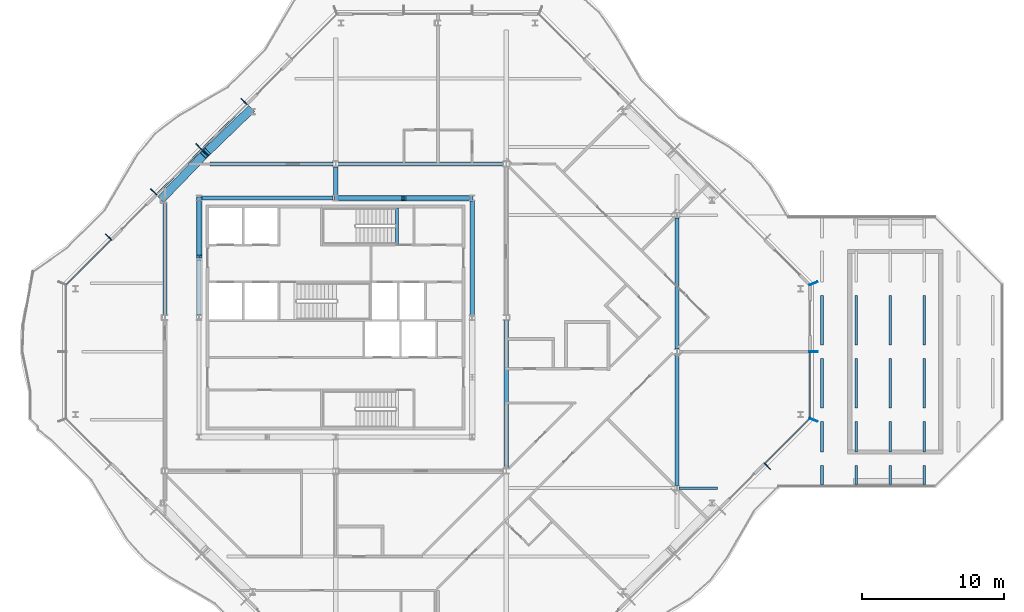
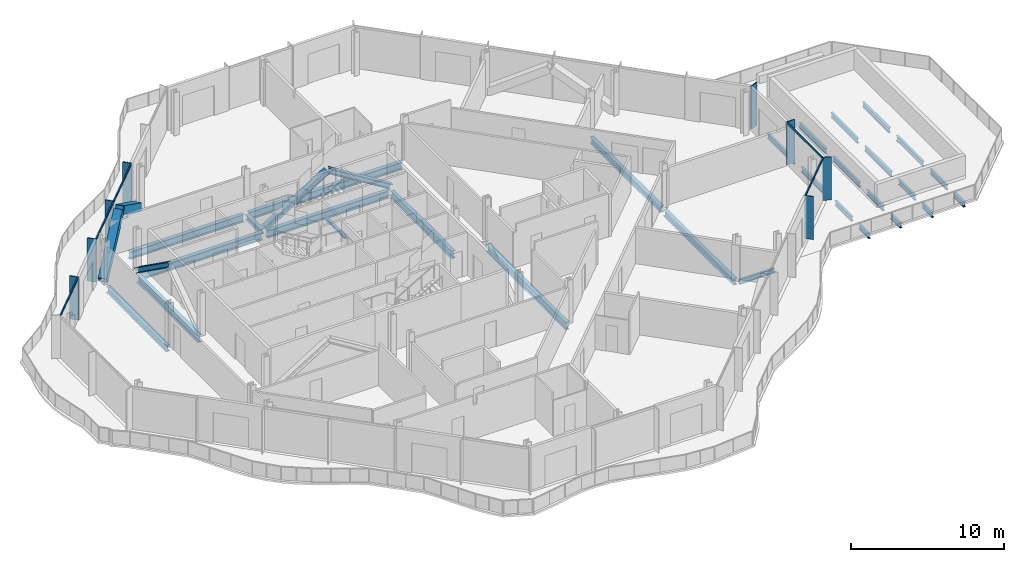
# One storey, part 4 of 16: 29 beams, 18 members, 4 elements without a shape of their own.
"""IFC4 building model written with IfcOpenShell, lengths in metres."""

from ifc_helpers import new_model, si_unit, direction, frame, origin, origin_2d, place, context, subcontext, project, spatial, rectangle, hollow_rectangle, i_section, extrude, material, material_profile, profile_set, type_object, element, aggregate, save


model = new_model("IFC4")

# Units and contexts
model_context = context("Model", 3, precision=1e-05, world=origin(), true_north=direction((0.0, 1.0)))
body_context = subcontext(model_context, "Body", "Model", "MODEL_VIEW")
ifc_project = project(units=[si_unit("LENGTHUNIT", "METRE"), si_unit("AREAUNIT", "SQUARE_METRE"), si_unit("VOLUMEUNIT", "CUBIC_METRE"), si_unit("PLANEANGLEUNIT", "RADIAN"), si_unit("MASSUNIT", "GRAM", prefix="KILO")], contexts=[model_context])

# Site, building, storey
site_placement = place(None, origin())
site = spatial("IfcSite", under=ifc_project, at=site_placement, CompositionType="ELEMENT")
building_placement = place(site_placement, origin())
building = spatial("IfcBuilding", under=site, at=building_placement, Name="Cairn Pilgrim Tower", CompositionType="ELEMENT")
storey_placement = place(building_placement, frame((0.0, 0.0, 267.0)))
storey = spatial("IfcBuildingStorey", under=building, at=storey_placement, Name="L68", CompositionType="ELEMENT", Elevation=267.0)

# Members
ifc_material_1 = material(Name="Structural steel S460M", Category="steel")
ifc_material_profile_1 = material_profile(ifc_material_1, hollow_rectangle(XDim=0.60009765625, YDim=0.60009765625, WallThickness=0.034912109375, at=origin_2d()), Name="BOX 600x600x35")
ifc_profile_set_1 = profile_set([ifc_material_profile_1], Name="Structural steel S460M")
member_type_1 = type_object("IfcMemberType", Name="BOX 600x600x35 BRACE", PredefinedType="BRACE", material=ifc_profile_set_1)
for number, where, z_axis, x_axis, name in (
    (1, (1.19091796875, 16.9921875, 0.14990234375), (-0.612497315066, -0.592528264357, 0.523218209713), (0.695293517132, -0.718725903967, 0.0), "XB-NW2-NW3-1"),
    (2, (-4.9921875, 10.80908203125, 0.14990234375), (0.592528264357, 0.612497315066, 0.523218209713), (-0.718725903967, 0.695293517132, 0.0), "XB-NW2-NW3-2"),
):
    element("IfcMember", number, at=place(storey_placement, frame(where, z_axis=z_axis, x_axis=x_axis)), inside=storey, type_object=member_type_1, Name=name, PredefinedType="BRACE", context=body_context, shape_type="SweptSolid", body=[
        extrude(hollow_rectangle(XDim=0.60009765625, YDim=0.60009765625, WallThickness=0.034912109375, at=origin_2d()), origin(), (0.0, 0.0, 1.0), 5.037109375),
    ])

# Curtain wall, member
ifc_material_2 = material(Name="Aluminium alloy 6063-T6 bronze anodised with Bronze tinted laminated low-E glass 8+16+8.8", Category="aluminium")
curtain_wall_type = type_object("IfcCurtainWallType", Name="CROWN CURTAIN WALL", PredefinedType="NOTDEFINED", material=ifc_material_2)
curtain_wall_1_placement = place(storey_placement, origin())
curtain_wall_1 = element("IfcCurtainWall", 3, at=curtain_wall_1_placement, inside=storey, type_object=curtain_wall_type, Name="Crown Curtain Wall SE", PredefinedType="NOTDEFINED")
ifc_material_3 = material(Name="Aluminium alloy 6063-T6 bronze anodised", Category="aluminium")
ifc_material_profile_2 = material_profile(ifc_material_3, rectangle(XDim=0.60009765625, YDim=0.06005859375, at=origin_2d()), Name="FIN MULLION 60x600 BRONZE")
ifc_profile_set_2 = profile_set([ifc_material_profile_2], Name="Aluminium alloy 6063-T6 bronze anodised")
member_type_2 = type_object("IfcMemberType", Name="FIN MULLION 60x600 BRONZE", PredefinedType="MULLION", material=ifc_profile_set_2)
member_1_placement = place(storey_placement, frame((37.5654296875, -8.06298828125, 0.0), z_axis=(0.0, 0.0, 1.0), x_axis=(0.707106781187, -0.707106781187, 0.0)))
member_1 = element("IfcMember", 4, at=member_1_placement, type_object=member_type_2, Name="Fin mullion SE6", PredefinedType="MULLION", context=body_context, shape_type="SweptSolid", body=[
    extrude(rectangle(XDim=0.60009765625, YDim=0.06005859375, at=origin_2d()), origin(), (0.0, 0.0, 1.0), 3.449951171875),
])

# Curtain wall, members
curtain_wall_2_placement = place(storey_placement, origin())
curtain_wall_2 = element("IfcCurtainWall", 5, at=curtain_wall_2_placement, inside=storey, type_object=curtain_wall_type, Name="Crown Curtain Wall E", PredefinedType="NOTDEFINED")
member_2_placement = place(storey_placement, frame((40.799560546875, -4.7998046875, 0.0), z_axis=(0.0, 0.0, 1.0), x_axis=(0.923879532511, -0.382683432365, 0.0)))
member_2 = element("IfcMember", 6, at=member_2_placement, type_object=member_type_2, Name="Fin mullion E1", PredefinedType="MULLION", context=body_context, shape_type="SweptSolid", body=[
    extrude(rectangle(XDim=0.60009765625, YDim=0.06005859375, at=origin_2d()), origin(), (0.0, 0.0, 1.0), 3.449951171875),
])
member_3_placement = place(storey_placement, frame((40.820068359375, 0.0, 0.0), z_axis=(0.0, 0.0, 1.0), x_axis=(1.0, 0.0, 0.0)))
member_3 = element("IfcMember", 7, at=member_3_placement, type_object=member_type_2, Name="Fin mullion E2", PredefinedType="MULLION", context=body_context, shape_type="SweptSolid", body=[
    extrude(rectangle(XDim=0.60009765625, YDim=0.06005859375, at=origin_2d()), origin(), (0.0, 0.0, 1.0), 3.449951171875),
])

# Curtain wall, member
curtain_wall_3_placement = place(storey_placement, origin())
curtain_wall_3 = element("IfcCurtainWall", 8, at=curtain_wall_3_placement, inside=storey, type_object=curtain_wall_type, Name="Crown Curtain Wall NE", PredefinedType="NOTDEFINED")
member_4_placement = place(storey_placement, frame((40.799560546875, 4.7998046875, 0.0), z_axis=(0.0, 0.0, 1.0), x_axis=(0.923879532511, 0.382683432365, 0.0)))
member_4 = element("IfcMember", 9, at=member_4_placement, type_object=member_type_2, Name="Fin mullion NE1", PredefinedType="MULLION", context=body_context, shape_type="SweptSolid", body=[
    extrude(rectangle(XDim=0.60009765625, YDim=0.06005859375, at=origin_2d()), origin(), (0.0, 0.0, 1.0), 3.449951171875),
])
aggregate(curtain_wall_3, [member_4])

# Curtain wall, members
curtain_wall_4_placement = place(storey_placement, origin())
curtain_wall_4 = element("IfcCurtainWall", 10, at=curtain_wall_4_placement, inside=storey, type_object=curtain_wall_type, Name="Crown Curtain Wall NW", PredefinedType="NOTDEFINED")
member_5_placement = place(storey_placement, frame((0.761474609375, 17.58984375, 0.0), z_axis=(0.0, 0.0, 1.0), x_axis=(-0.707106781187, 0.707106781187, 0.0)))
member_5 = element("IfcMember", 11, at=member_5_placement, type_object=member_type_2, Name="Fin mullion NW3", PredefinedType="MULLION", context=body_context, shape_type="SweptSolid", body=[
    extrude(rectangle(XDim=0.60009765625, YDim=0.06005859375, at=origin_2d()), origin(), (0.0, 0.0, 1.0), 3.449951171875),
])
member_6_placement = place(storey_placement, frame((-2.4140625, 14.4140625, 0.0), z_axis=(0.0, 0.0, 1.0), x_axis=(-0.707106781187, 0.707106781187, 0.0)))
member_6 = element("IfcMember", 12, at=member_6_placement, type_object=member_type_2, Name="Fin mullion NW4", PredefinedType="MULLION", context=body_context, shape_type="SweptSolid", body=[
    extrude(rectangle(XDim=0.60009765625, YDim=0.06005859375, at=origin_2d()), origin(), (0.0, 0.0, 1.0), 3.449951171875),
])
member_7_placement = place(storey_placement, frame((-5.58984375, 11.238525390625, 0.0), z_axis=(0.0, 0.0, 1.0), x_axis=(-0.707106781187, 0.707106781187, 0.0)))
member_7 = element("IfcMember", 13, at=member_7_placement, type_object=member_type_2, Name="Fin mullion NW5", PredefinedType="MULLION", context=body_context, shape_type="SweptSolid", body=[
    extrude(rectangle(XDim=0.60009765625, YDim=0.06005859375, at=origin_2d()), origin(), (0.0, 0.0, 1.0), 3.449951171875),
])
member_8_placement = place(storey_placement, frame((-8.765380859375, 8.06298828125, 0.0), z_axis=(0.0, 0.0, 1.0), x_axis=(-0.707106781187, 0.707106781187, 0.0)))
member_8 = element("IfcMember", 14, at=member_8_placement, type_object=member_type_2, Name="Fin mullion NW6", PredefinedType="MULLION", context=body_context, shape_type="SweptSolid", body=[
    extrude(rectangle(XDim=0.60009765625, YDim=0.06005859375, at=origin_2d()), origin(), (0.0, 0.0, 1.0), 3.449951171875),
])

# Members
ifc_material_4 = material(Name="Structural steel S355J2", Category="steel")
ifc_material_profile_3 = material_profile(ifc_material_4, i_section(OverallWidth=0.39794921875, OverallDepth=0.386962890625, WebThickness=0.02099609375, FlangeThickness=0.033203125, FilletRadius=0.014892578125, at=origin_2d()), Name="HD 400x262")
ifc_profile_set_3 = profile_set([ifc_material_profile_3], Name="Structural steel S355J2")
member_type_3 = type_object("IfcMemberType", Name="HD 400x262 BRACE", PredefinedType="BRACE", material=ifc_profile_set_3)
for number, where, z_axis, x_axis, name in (
    (15, (16.76025390625, 10.800048828125, 0.10009765625), (-0.85122905108, 0.0, 0.524794343145), (0.0, -1.0, 0.0), "KB-3A"),
    (16, (7.23974609375, 10.800048828125, 0.10009765625), (0.85122905108, 0.0, 0.524794343145), (0.0, 1.0, 0.0), "KB-3B"),
):
    element("IfcMember", number, at=place(storey_placement, frame(where, z_axis=z_axis, x_axis=x_axis)), inside=storey, type_object=member_type_3, Name=name, PredefinedType="BRACE", context=body_context, shape_type="SweptSolid", body=[
        extrude(i_section(OverallWidth=0.39794921875, OverallDepth=0.386962890625, WebThickness=0.02099609375, FlangeThickness=0.033203125, FilletRadius=0.014892578125, at=origin_2d()), origin(), (0.0, 0.0, 1.0), 5.530029296875),
    ])
member_9_placement = place(storey_placement, frame((-2.39990234375, 10.76025390625, 0.10009765625), z_axis=(0.0, -0.814462005215, 0.580216892258), x_axis=(1.0, 0.0, 0.0)))
element("IfcMember", 17, at=member_9_placement, inside=storey, type_object=member_type_3, Name="KB-4A", PredefinedType="BRACE", context=body_context, shape_type="SweptSolid", body=[
    extrude(i_section(OverallWidth=0.39794921875, OverallDepth=0.386962890625, WebThickness=0.02099609375, FlangeThickness=0.033203125, FilletRadius=0.014892578125, at=origin_2d()), origin(), (0.0, 0.0, 1.0), 4.999755859375),
])

# Beams
ifc_material_profile_4 = material_profile(ifc_material_4, i_section(OverallWidth=0.300048828125, OverallDepth=0.39990234375, WebThickness=0.013427734375, FlangeThickness=0.02392578125, FilletRadius=0.027099609375, at=origin_2d()), Name="HEB 400")
ifc_profile_set_4 = profile_set([ifc_material_profile_4], Name="Structural steel S355J2")
beam_type_1 = type_object("IfcBeamType", Name="HEB 400 GIRDER", PredefinedType="BEAM", material=ifc_profile_set_4)
beam_1_placement = place(storey_placement, frame((7.199951171875, 10.9990234375, -0.35009765625), z_axis=(0.0, 1.0, 0.0), x_axis=(-1.0, 0.0, 0.0)))
element("IfcBeam", 18, at=beam_1_placement, inside=storey, type_object=beam_type_1, Name="PG3-E2", PredefinedType="BEAM", context=body_context, shape_type="SweptSolid", body=[
    extrude(i_section(OverallWidth=0.300048828125, OverallDepth=0.39990234375, WebThickness=0.013427734375, FlangeThickness=0.02392578125, FilletRadius=0.027099609375, at=origin_2d()), origin(), (0.0, 0.0, 1.0), 2.00390625),
])
ifc_material_profile_5 = material_profile(ifc_material_4, i_section(OverallWidth=0.300048828125, OverallDepth=0.5, WebThickness=0.014404296875, FlangeThickness=0.028076171875, FilletRadius=0.027099609375, at=origin_2d()), Name="HEB 500")
ifc_profile_set_5 = profile_set([ifc_material_profile_5], Name="Structural steel S355J2")
beam_type_2 = type_object("IfcBeamType", Name="HEB 500 GIRDER", PredefinedType="BEAM", material=ifc_profile_set_5)
beam_2_placement = place(storey_placement, frame((-4.800048828125, 2.596923828125, -0.39990234375), z_axis=(0.0, 1.0, 0.0), x_axis=(-1.0, 0.0, 0.0)))
element("IfcBeam", 19, at=beam_2_placement, inside=storey, type_object=beam_type_2, Name="PG2-2", PredefinedType="BEAM", context=body_context, shape_type="SweptSolid", body=[
    extrude(i_section(OverallWidth=0.300048828125, OverallDepth=0.5, WebThickness=0.014404296875, FlangeThickness=0.028076171875, FilletRadius=0.027099609375, at=origin_2d()), origin(), (0.0, 0.0, 1.0), 7.880859375),
])
for number, where, z_axis, x_axis, name in (
    (20, (31.199951171875, -9.403076171875, -0.39990234375), (0.0, 1.0, 0.0), (-1.0, 0.0, 0.0), "PG5-2"),
    (21, (31.199951171875, 0.197021484375, -0.39990234375), (0.0, 1.0, 0.0), (-1.0, 0.0, 0.0), "PG5-3"),
):
    element("IfcBeam", number, at=place(storey_placement, frame(where, z_axis=z_axis, x_axis=x_axis)), inside=storey, type_object=beam_type_2, Name=name, PredefinedType="BEAM", context=body_context, shape_type="SweptSolid", body=[
        extrude(i_section(OverallWidth=0.300048828125, OverallDepth=0.5, WebThickness=0.014404296875, FlangeThickness=0.028076171875, FilletRadius=0.027099609375, at=origin_2d()), origin(), (0.0, 0.0, 1.0), 9.2060546875),
    ])
ifc_material_profile_6 = material_profile(ifc_material_4, i_section(OverallWidth=0.300048828125, OverallDepth=0.60009765625, WebThickness=0.015380859375, FlangeThickness=0.030029296875, FilletRadius=0.027099609375, at=origin_2d()), Name="HEB 600")
ifc_profile_set_6 = profile_set([ifc_material_profile_6], Name="Structural steel S355J2")
beam_type_3 = type_object("IfcBeamType", Name="HEB 600 CORE BEAM", PredefinedType="BEAM", material=ifc_profile_set_6)
beam_3_placement = place(storey_placement, frame((16.800048828125, 2.5791015625, -0.449951171875), z_axis=(0.0, 1.0, 0.0), x_axis=(-1.0, 0.0, 0.0)))
element("IfcBeam", 22, at=beam_3_placement, inside=storey, type_object=beam_type_3, Name="CB-4", PredefinedType="BEAM", context=body_context, shape_type="SweptSolid", body=[
    extrude(i_section(OverallWidth=0.300048828125, OverallDepth=0.60009765625, WebThickness=0.015380859375, FlangeThickness=0.030029296875, FilletRadius=0.027099609375, at=origin_2d()), origin(), (0.0, 0.0, 1.0), 8.041748046875),
])
beam_4_placement = place(storey_placement, frame((16.620849609375, 10.800048828125, -0.449951171875), z_axis=(-1.0, 0.0, 0.0), x_axis=(0.0, -1.0, 0.0)))
element("IfcBeam", 23, at=beam_4_placement, inside=storey, type_object=beam_type_3, Name="CB-5", PredefinedType="BEAM", context=body_context, shape_type="SweptSolid", body=[
    extrude(i_section(OverallWidth=0.300048828125, OverallDepth=0.60009765625, WebThickness=0.015380859375, FlangeThickness=0.030029296875, FilletRadius=0.027099609375, at=origin_2d()), origin(), (0.0, 0.0, 1.0), 9.24169921875),
])
beam_5_placement = place(storey_placement, frame((7.02099609375, 10.800048828125, -0.449951171875), z_axis=(-1.0, 0.0, 0.0), x_axis=(0.0, -1.0, 0.0)))
element("IfcBeam", 24, at=beam_5_placement, inside=storey, type_object=beam_type_3, Name="CB-6", PredefinedType="BEAM", context=body_context, shape_type="SweptSolid", body=[
    extrude(i_section(OverallWidth=0.300048828125, OverallDepth=0.60009765625, WebThickness=0.015380859375, FlangeThickness=0.030029296875, FilletRadius=0.027099609375, at=origin_2d()), origin(), (0.0, 0.0, 1.0), 9.241943359375),
])
beam_6_placement = place(storey_placement, frame((-2.39990234375, 10.620849609375, -0.449951171875), z_axis=(0.0, -1.0, 0.0), x_axis=(1.0, 0.0, 0.0)))
element("IfcBeam", 25, at=beam_6_placement, inside=storey, type_object=beam_type_3, Name="CB-7", PredefinedType="BEAM", context=body_context, shape_type="SweptSolid", body=[
    extrude(i_section(OverallWidth=0.300048828125, OverallDepth=0.60009765625, WebThickness=0.015380859375, FlangeThickness=0.030029296875, FilletRadius=0.027099609375, at=origin_2d()), origin(), (0.0, 0.0, 1.0), 8.041748046875),
])
ifc_material_profile_7 = material_profile(ifc_material_4, i_section(OverallWidth=0.300048828125, OverallDepth=0.60009765625, WebThickness=0.015380859375, FlangeThickness=0.030029296875, FilletRadius=0.027099609375, at=origin_2d()), Name="HEB 600")
ifc_profile_set_7 = profile_set([ifc_material_profile_7], Name="Structural steel S355J2")
beam_type_4 = type_object("IfcBeamType", Name="HEB 600 GIRDER", PredefinedType="BEAM", material=ifc_profile_set_7)
beam_7_placement = place(storey_placement, frame((19.199951171875, -8.202880859375, -0.449951171875), z_axis=(0.0, 1.0, 0.0), x_axis=(-1.0, 0.0, 0.0)))
element("IfcBeam", 26, at=beam_7_placement, inside=storey, type_object=beam_type_4, Name="PG4-2", PredefinedType="BEAM", context=body_context, shape_type="SweptSolid", body=[
    extrude(i_section(OverallWidth=0.300048828125, OverallDepth=0.60009765625, WebThickness=0.015380859375, FlangeThickness=0.030029296875, FilletRadius=0.027099609375, at=origin_2d()), origin(), (0.0, 0.0, 1.0), 10.40576171875),
])
ifc_material_profile_8 = material_profile(ifc_material_4, i_section(OverallWidth=0.300048828125, OverallDepth=0.60009765625, WebThickness=0.015380859375, FlangeThickness=0.030029296875, FilletRadius=0.027099609375, at=origin_2d()), Name="HEB 600")
ifc_profile_set_8 = profile_set([ifc_material_profile_8], Name="Structural steel S355J2")
beam_type_5 = type_object("IfcBeamType", Name="HEB 600 INNER GIRDER", PredefinedType="BEAM", material=ifc_profile_set_8)
beam_8_placement = place(storey_placement, frame((-1.650146484375, 13.199951171875, -0.449951171875), z_axis=(1.0, 0.0, 0.0), x_axis=(0.0, 1.0, 0.0)))
element("IfcBeam", 27, at=beam_8_placement, inside=storey, type_object=beam_type_5, Name="IG2-1", PredefinedType="BEAM", context=body_context, shape_type="SweptSolid", body=[
    extrude(i_section(OverallWidth=0.300048828125, OverallDepth=0.60009765625, WebThickness=0.015380859375, FlangeThickness=0.030029296875, FilletRadius=0.027099609375, at=origin_2d()), origin(), (0.0, 0.0, 1.0), 8.653076171875),
])
beam_9_placement = place(storey_placement, frame((7.39697265625, 13.199951171875, -0.449951171875), z_axis=(1.0, 0.0, 0.0), x_axis=(0.0, 1.0, 0.0)))
element("IfcBeam", 28, at=beam_9_placement, inside=storey, type_object=beam_type_5, Name="IG2-2", PredefinedType="BEAM", context=body_context, shape_type="SweptSolid", body=[
    extrude(i_section(OverallWidth=0.300048828125, OverallDepth=0.60009765625, WebThickness=0.015380859375, FlangeThickness=0.030029296875, FilletRadius=0.027099609375, at=origin_2d()), origin(), (0.0, 0.0, 1.0), 11.60595703125),
])
ifc_material_profile_9 = material_profile(ifc_material_4, i_section(OverallWidth=0.169921875, OverallDepth=0.360107421875, WebThickness=0.008056640625, FlangeThickness=0.0126953125, FilletRadius=0.01806640625, at=origin_2d()), Name="IPE 360")
ifc_profile_set_9 = profile_set([ifc_material_profile_9], Name="Structural steel S355J2")
beam_type_6 = type_object("IfcBeamType", Name="IPE 360 SECONDARY BEAM", PredefinedType="JOIST", material=ifc_profile_set_9)
beam_10_placement = place(storey_placement, frame((31.35009765625, -9.60009765625, -0.330078125), z_axis=(1.0, 0.0, 0.0), x_axis=(0.0, 1.0, 0.0)))
element("IfcBeam", 29, at=beam_10_placement, inside=storey, type_object=beam_type_6, Name="SB3-2", PredefinedType="JOIST", context=body_context, shape_type="SweptSolid", body=[
    extrude(i_section(OverallWidth=0.169921875, OverallDepth=0.360107421875, WebThickness=0.008056640625, FlangeThickness=0.0126953125, FilletRadius=0.01806640625, at=origin_2d()), origin(), (0.0, 0.0, 1.0), 2.699951171875),
])
ifc_material_profile_10 = material_profile(ifc_material_4, i_section(OverallWidth=0.179931640625, OverallDepth=0.39990234375, WebThickness=0.008544921875, FlangeThickness=0.013427734375, FilletRadius=0.02099609375, at=origin_2d()), Name="IPE 400")
ifc_profile_set_10 = profile_set([ifc_material_profile_10], Name="Structural steel S355J2")
beam_type_7 = type_object("IfcBeamType", Name="IPE 400 DECK BEAM", PredefinedType="JOIST", material=ifc_profile_set_10)
beam_11_placement = place(storey_placement, frame((41.39990234375, -7.0693359375, -0.35009765625), z_axis=(0.0, 1.0, 0.0), x_axis=(-1.0, 0.0, 0.0)))
element("IfcBeam", 30, at=beam_11_placement, inside=storey, type_object=beam_type_7, Name="PD1-1", PredefinedType="JOIST", context=body_context, shape_type="SweptSolid", body=[
    extrude(i_section(OverallWidth=0.179931640625, OverallDepth=0.39990234375, WebThickness=0.008544921875, FlangeThickness=0.013427734375, FilletRadius=0.02099609375, at=origin_2d()), origin(), (0.0, 0.0, 1.0), 2.172119140625),
])
for number, where, z_axis, x_axis, name in (
    (31, (41.39990234375, -3.957275390625, -0.35009765625), (0.0, 1.0, 0.0), (-1.0, 0.0, 0.0), "PD1-2"),
    (32, (41.39990234375, 0.469970703125, -0.35009765625), (0.0, 1.0, 0.0), (-1.0, 0.0, 0.0), "PD1-3"),
):
    element("IfcBeam", number, at=place(storey_placement, frame(where, z_axis=z_axis, x_axis=x_axis)), inside=storey, type_object=beam_type_7, Name=name, PredefinedType="JOIST", context=body_context, shape_type="SweptSolid", body=[
        extrude(i_section(OverallWidth=0.179931640625, OverallDepth=0.39990234375, WebThickness=0.008544921875, FlangeThickness=0.013427734375, FilletRadius=0.02099609375, at=origin_2d()), origin(), (0.0, 0.0, 1.0), 3.4873046875),
    ])
beam_12_placement = place(storey_placement, frame((41.39990234375, -8.00927734375, -0.35009765625), z_axis=(0.0, -1.0, 0.0), x_axis=(1.0, 0.0, 0.0)))
element("IfcBeam", 33, at=beam_12_placement, inside=storey, type_object=beam_type_7, Name="PD1-ES", PredefinedType="JOIST", context=body_context, shape_type="SweptSolid", body=[
    extrude(i_section(OverallWidth=0.179931640625, OverallDepth=0.39990234375, WebThickness=0.008544921875, FlangeThickness=0.013427734375, FilletRadius=0.02099609375, at=origin_2d()), origin(), (0.0, 0.0, 1.0), 1.3408203125),
])
beam_13_placement = place(storey_placement, frame((43.800048828125, -7.0693359375, -0.35009765625), z_axis=(0.0, 1.0, 0.0), x_axis=(-1.0, 0.0, 0.0)))
element("IfcBeam", 34, at=beam_13_placement, inside=storey, type_object=beam_type_7, Name="PD2-1", PredefinedType="JOIST", context=body_context, shape_type="SweptSolid", body=[
    extrude(i_section(OverallWidth=0.179931640625, OverallDepth=0.39990234375, WebThickness=0.008544921875, FlangeThickness=0.013427734375, FilletRadius=0.02099609375, at=origin_2d()), origin(), (0.0, 0.0, 1.0), 2.172119140625),
])
for number, where, z_axis, x_axis, name in (
    (35, (43.800048828125, -3.957275390625, -0.35009765625), (0.0, 1.0, 0.0), (-1.0, 0.0, 0.0), "PD2-2"),
    (36, (43.800048828125, 0.469970703125, -0.35009765625), (0.0, 1.0, 0.0), (-1.0, 0.0, 0.0), "PD2-3"),
):
    element("IfcBeam", number, at=place(storey_placement, frame(where, z_axis=z_axis, x_axis=x_axis)), inside=storey, type_object=beam_type_7, Name=name, PredefinedType="JOIST", context=body_context, shape_type="SweptSolid", body=[
        extrude(i_section(OverallWidth=0.179931640625, OverallDepth=0.39990234375, WebThickness=0.008544921875, FlangeThickness=0.013427734375, FilletRadius=0.02099609375, at=origin_2d()), origin(), (0.0, 0.0, 1.0), 3.4873046875),
    ])
beam_14_placement = place(storey_placement, frame((43.800048828125, -8.00927734375, -0.35009765625), z_axis=(0.0, -1.0, 0.0), x_axis=(1.0, 0.0, 0.0)))
element("IfcBeam", 37, at=beam_14_placement, inside=storey, type_object=beam_type_7, Name="PD2-ES", PredefinedType="JOIST", context=body_context, shape_type="SweptSolid", body=[
    extrude(i_section(OverallWidth=0.179931640625, OverallDepth=0.39990234375, WebThickness=0.008544921875, FlangeThickness=0.013427734375, FilletRadius=0.02099609375, at=origin_2d()), origin(), (0.0, 0.0, 1.0), 1.3408203125),
])
beam_15_placement = place(storey_placement, frame((46.199951171875, -7.0693359375, -0.35009765625), z_axis=(0.0, 1.0, 0.0), x_axis=(-1.0, 0.0, 0.0)))
element("IfcBeam", 38, at=beam_15_placement, inside=storey, type_object=beam_type_7, Name="PD3-1", PredefinedType="JOIST", context=body_context, shape_type="SweptSolid", body=[
    extrude(i_section(OverallWidth=0.179931640625, OverallDepth=0.39990234375, WebThickness=0.008544921875, FlangeThickness=0.013427734375, FilletRadius=0.02099609375, at=origin_2d()), origin(), (0.0, 0.0, 1.0), 2.172119140625),
])
for number, where, z_axis, x_axis, name in (
    (39, (46.199951171875, -3.957275390625, -0.35009765625), (0.0, 1.0, 0.0), (-1.0, 0.0, 0.0), "PD3-2"),
    (40, (46.199951171875, 0.469970703125, -0.35009765625), (0.0, 1.0, 0.0), (-1.0, 0.0, 0.0), "PD3-3"),
):
    element("IfcBeam", number, at=place(storey_placement, frame(where, z_axis=z_axis, x_axis=x_axis)), inside=storey, type_object=beam_type_7, Name=name, PredefinedType="JOIST", context=body_context, shape_type="SweptSolid", body=[
        extrude(i_section(OverallWidth=0.179931640625, OverallDepth=0.39990234375, WebThickness=0.008544921875, FlangeThickness=0.013427734375, FilletRadius=0.02099609375, at=origin_2d()), origin(), (0.0, 0.0, 1.0), 3.4873046875),
    ])
beam_16_placement = place(storey_placement, frame((46.199951171875, -8.00927734375, -0.35009765625), z_axis=(0.0, -1.0, 0.0), x_axis=(1.0, 0.0, 0.0)))
element("IfcBeam", 41, at=beam_16_placement, inside=storey, type_object=beam_type_7, Name="PD3-ES", PredefinedType="JOIST", context=body_context, shape_type="SweptSolid", body=[
    extrude(i_section(OverallWidth=0.179931640625, OverallDepth=0.39990234375, WebThickness=0.008544921875, FlangeThickness=0.013427734375, FilletRadius=0.02099609375, at=origin_2d()), origin(), (0.0, 0.0, 1.0), 1.3408203125),
])
beam_17_placement = place(storey_placement, frame((48.60009765625, -7.0693359375, -0.35009765625), z_axis=(0.0, 1.0, 0.0), x_axis=(-1.0, 0.0, 0.0)))
element("IfcBeam", 42, at=beam_17_placement, inside=storey, type_object=beam_type_7, Name="PD4-1", PredefinedType="JOIST", context=body_context, shape_type="SweptSolid", body=[
    extrude(i_section(OverallWidth=0.179931640625, OverallDepth=0.39990234375, WebThickness=0.008544921875, FlangeThickness=0.013427734375, FilletRadius=0.02099609375, at=origin_2d()), origin(), (0.0, 0.0, 1.0), 2.172119140625),
])
for number, where, z_axis, x_axis, name in (
    (43, (48.60009765625, -3.957275390625, -0.35009765625), (0.0, 1.0, 0.0), (-1.0, 0.0, 0.0), "PD4-2"),
    (44, (48.60009765625, 0.469970703125, -0.35009765625), (0.0, 1.0, 0.0), (-1.0, 0.0, 0.0), "PD4-3"),
):
    element("IfcBeam", number, at=place(storey_placement, frame(where, z_axis=z_axis, x_axis=x_axis)), inside=storey, type_object=beam_type_7, Name=name, PredefinedType="JOIST", context=body_context, shape_type="SweptSolid", body=[
        extrude(i_section(OverallWidth=0.179931640625, OverallDepth=0.39990234375, WebThickness=0.008544921875, FlangeThickness=0.013427734375, FilletRadius=0.02099609375, at=origin_2d()), origin(), (0.0, 0.0, 1.0), 3.4873046875),
    ])
beam_18_placement = place(storey_placement, frame((48.60009765625, -8.00927734375, -0.35009765625), z_axis=(0.0, -1.0, 0.0), x_axis=(1.0, 0.0, 0.0)))
element("IfcBeam", 45, at=beam_18_placement, inside=storey, type_object=beam_type_7, Name="PD4-ES", PredefinedType="JOIST", context=body_context, shape_type="SweptSolid", body=[
    extrude(i_section(OverallWidth=0.179931640625, OverallDepth=0.39990234375, WebThickness=0.008544921875, FlangeThickness=0.013427734375, FilletRadius=0.02099609375, at=origin_2d()), origin(), (0.0, 0.0, 1.0), 1.3408203125),
])
ifc_material_profile_11 = material_profile(ifc_material_4, i_section(OverallWidth=0.199951171875, OverallDepth=0.199951171875, WebThickness=0.009033203125, FlangeThickness=0.014892578125, FilletRadius=0.01806640625, at=origin_2d()), Name="HE 200 B")
ifc_profile_set_11 = profile_set([ifc_material_profile_11], Name="Structural steel S355J2")
beam_type_8 = type_object("IfcBeamType", Name="STAIR LANDING BEAM HE 200 B", PredefinedType="BEAM", material=ifc_profile_set_11)
beam_19_placement = place(storey_placement, frame((11.5244140625, 10.10009765625, -0.25), z_axis=(0.0, -1.0, 0.0), x_axis=(1.0, 0.0, 0.0)))
element("IfcBeam", 46, at=beam_19_placement, inside=storey, type_object=beam_type_8, Name="STAIR LANDING BEAM LD-HE200B", PredefinedType="BEAM", context=body_context, shape_type="SweptSolid", body=[
    extrude(i_section(OverallWidth=0.199951171875, OverallDepth=0.199951171875, WebThickness=0.009033203125, FlangeThickness=0.014892578125, FilletRadius=0.01806640625, at=origin_2d()), origin(), (0.0, 0.0, 1.0), 2.525146484375),
])

# Member
ifc_material_profile_12 = material_profile(ifc_material_3, rectangle(XDim=0.080078125, YDim=0.14990234375, at=origin_2d()), Name="TRANSOM 80x150 BRONZE")
ifc_profile_set_12 = profile_set([ifc_material_profile_12], Name="Aluminium alloy 6063-T6 bronze anodised")
member_type_4 = type_object("IfcMemberType", Name="TRANSOM 80x150 BRONZE", PredefinedType="USERDEFINED", material=ifc_profile_set_12)
member_10_placement = place(storey_placement, frame((37.3955078125, -7.850830078125, 3.375), z_axis=(0.707106781187, 0.707106781187, 0.0), x_axis=(-0.707106781187, 0.707106781187, 0.0)))
member_10 = element("IfcMember", 47, at=member_10_placement, type_object=member_type_4, Name="Transom SE6", ObjectType="TRANSOM", PredefinedType="USERDEFINED", context=body_context, shape_type="SweptSolid", body=[
    extrude(rectangle(XDim=0.080078125, YDim=0.14990234375, at=origin_2d()), origin(), (0.0, 0.0, 1.0), 4.421142578125),
])

aggregate(curtain_wall_1, [member_1, member_10])

member_11_placement = place(storey_placement, frame((40.550048828125, -4.656494140625, 3.375), z_axis=(0.0, 1.0, 0.0), x_axis=(-1.0, 0.0, 0.0)))
member_11 = element("IfcMember", 48, at=member_11_placement, type_object=member_type_4, Name="Transom E1", ObjectType="TRANSOM", PredefinedType="USERDEFINED", context=body_context, shape_type="SweptSolid", body=[
    extrude(rectangle(XDim=0.080078125, YDim=0.14990234375, at=origin_2d()), origin(), (0.0, 0.0, 1.0), 4.62646484375),
])

aggregate(curtain_wall_2, [member_2, member_3, member_11])

member_12_placement = place(storey_placement, frame((0.93115234375, 17.377685546875, 3.375), z_axis=(-0.707079231393, -0.707134329907, 0.0), x_axis=(0.707134329907, -0.707079231393, 0.0)))
member_12 = element("IfcMember", 49, at=member_12_placement, type_object=member_type_4, Name="Transom NW3", ObjectType="TRANSOM", PredefinedType="USERDEFINED", context=body_context, shape_type="SweptSolid", body=[
    extrude(rectangle(XDim=0.080078125, YDim=0.14990234375, at=origin_2d()), origin(), (0.0, 0.0, 1.0), 4.430908203125),
])

member_13_placement = place(storey_placement, frame((-2.244384765625, 14.201904296875, 3.375), z_axis=(-0.707134329907, -0.707079231393, 0.0), x_axis=(0.707079231393, -0.707134329907, 0.0)))
member_13 = element("IfcMember", 50, at=member_13_placement, type_object=member_type_4, Name="Transom NW4", ObjectType="TRANSOM", PredefinedType="USERDEFINED", context=body_context, shape_type="SweptSolid", body=[
    extrude(rectangle(XDim=0.080078125, YDim=0.14990234375, at=origin_2d()), origin(), (0.0, 0.0, 1.0), 4.430908203125),
])

member_14_placement = place(storey_placement, frame((-8.595703125, 7.850830078125, 3.375), z_axis=(-0.707079168996, -0.707134392299, 0.0), x_axis=(0.707134392299, -0.707079168996, 0.0)))
member_14 = element("IfcMember", 51, at=member_14_placement, type_object=member_type_4, Name="Transom NW6", ObjectType="TRANSOM", PredefinedType="USERDEFINED", context=body_context, shape_type="SweptSolid", body=[
    extrude(rectangle(XDim=0.080078125, YDim=0.14990234375, at=origin_2d()), origin(), (0.0, 0.0, 1.0), 4.4208984375),
])

aggregate(curtain_wall_4, [member_5, member_6, member_7, member_8, member_12, member_13, member_14])

save(model, "model.ifc")
